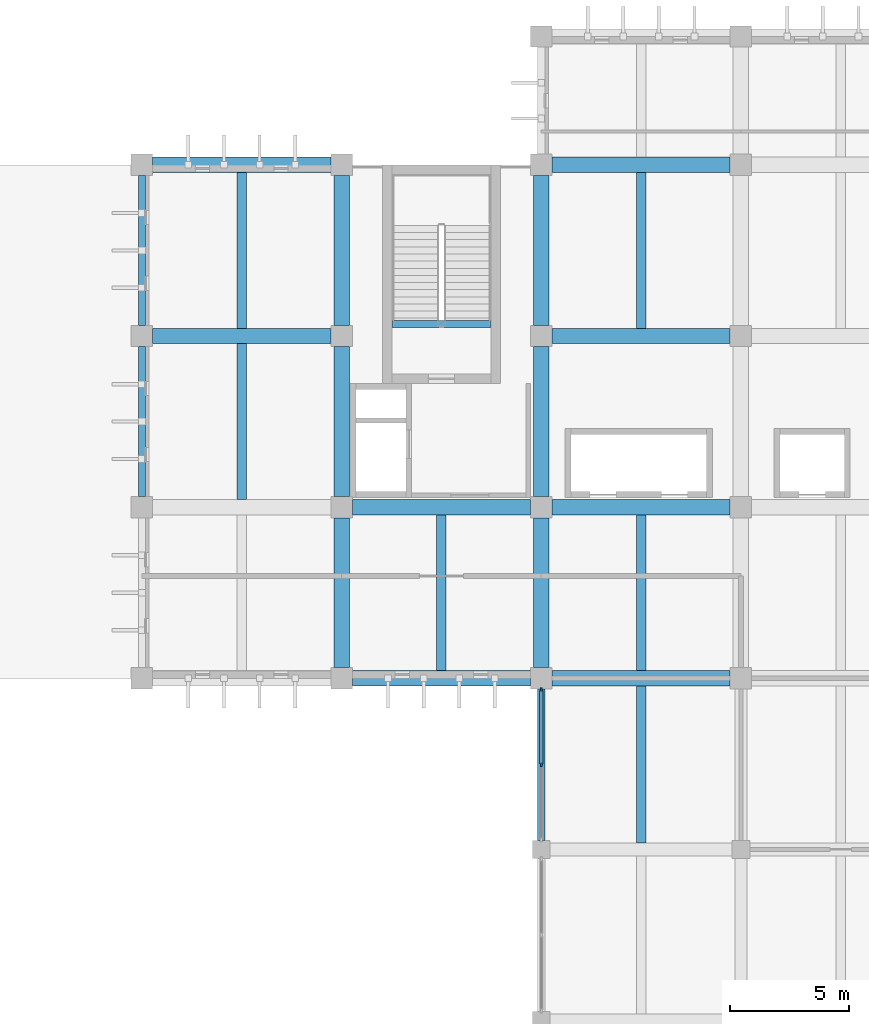
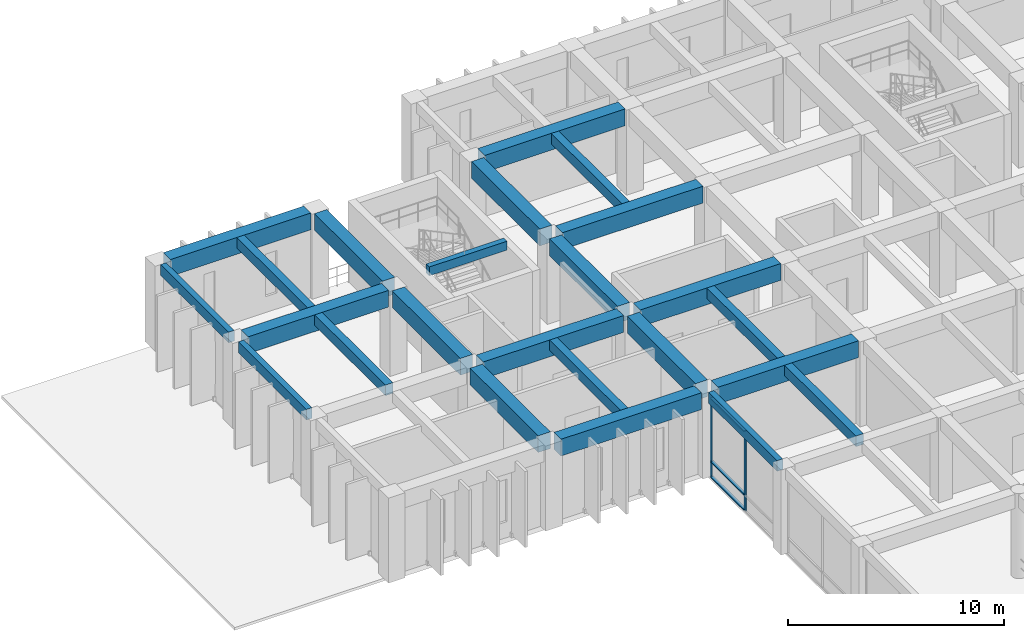
# One storey, part 21 of 52: 24 beams, 5 members, 1 element without a shape of its own.
"""IFC4 building model written with IfcOpenShell, lengths in metres."""

from ifc_helpers import new_model, si_unit, direction, frame, origin, origin_2d, place, context, subcontext, project, spatial, rectangle, extrude, material, material_profile, profile_set, type_object, element, aggregate, save


model = new_model("IFC4")

# Units and contexts
model_context = context("Model", 3, precision=1e-05, world=origin(), true_north=direction((0.0, 1.0)))
body_context = subcontext(model_context, "Body", "Model", "MODEL_VIEW")
ifc_project = project(units=[si_unit("LENGTHUNIT", "METRE"), si_unit("AREAUNIT", "SQUARE_METRE"), si_unit("VOLUMEUNIT", "CUBIC_METRE"), si_unit("PLANEANGLEUNIT", "RADIAN"), si_unit("MASSUNIT", "GRAM", prefix="KILO")], contexts=[model_context])

# Site, building, storey
site_placement = place(None, origin())
site = spatial("IfcSite", under=ifc_project, at=site_placement, CompositionType="ELEMENT")
building_placement = place(site_placement, origin())
building = spatial("IfcBuilding", under=site, at=building_placement, Name="Kenerak Square Central Library", CompositionType="ELEMENT")
storey_placement = place(building_placement, frame((0.0, 0.0, 4.800048828125)))
storey = spatial("IfcBuildingStorey", under=building, at=storey_placement, Name="L01", CompositionType="ELEMENT", Elevation=4.800048828125)

# Beams
ifc_material_1 = material(Name="Concrete C45/55", Category="concrete")
ifc_material_profile_1 = material_profile(ifc_material_1, rectangle(XDim=0.64990234375, YDim=0.949951171875, at=origin_2d()), Name="RC 650x950")
ifc_profile_set_1 = profile_set([ifc_material_profile_1], Name="Concrete C45/55")
beam_type_1 = type_object("IfcBeamType", Name="Book Stack Girder B-02 RC 650x950 C45/55", PredefinedType="BEAM", material=ifc_profile_set_1)
for number, where, z_axis, x_axis, name in (
    (1, (58.85009765625, 88.800048828125, 4.324951171875), (1.0, 0.0, 0.0), (0.0, 1.0, 0.0), "Beam B-02 L01 0944"),
    (2, (67.25, 88.800048828125, 4.324951171875), (1.0, 0.0, 0.0), (0.0, 1.0, 0.0), "Beam B-02 L01 0945"),
    (3, (58.85009765625, 96.0, 4.324951171875), (1.0, 0.0, 0.0), (0.0, 1.0, 0.0), "Beam B-02 L01 0954"),
    (4, (67.25, 96.0, 4.324951171875), (1.0, 0.0, 0.0), (0.0, 1.0, 0.0), "Beam B-02 L01 0955"),
    (5, (50.449951171875, 103.199951171875, 4.324951171875), (1.0, 0.0, 0.0), (0.0, 1.0, 0.0), "Beam B-02 L01 0963"),
    (6, (67.25, 103.199951171875, 4.324951171875), (1.0, 0.0, 0.0), (0.0, 1.0, 0.0), "Beam B-02 L01 0964"),
    (7, (50.449951171875, 110.39990234375, 4.324951171875), (1.0, 0.0, 0.0), (0.0, 1.0, 0.0), "Beam B-02 L01 0970"),
    (8, (67.25, 110.39990234375, 4.324951171875), (1.0, 0.0, 0.0), (0.0, 1.0, 0.0), "Beam B-02 L01 0971"),
):
    element("IfcBeam", number, at=place(storey_placement, frame(where, z_axis=z_axis, x_axis=x_axis)), inside=storey, type_object=beam_type_1, Name=name, PredefinedType="BEAM", context=body_context, shape_type="SweptSolid", body=[
        extrude(rectangle(XDim=0.64990234375, YDim=0.949951171875, at=origin_2d()), origin(), (0.0, 0.0, 1.0), 7.5),
    ])
for number, where, z_axis, x_axis, name in (
    (9, (58.39990234375, 89.25, 4.324951171875), (0.0, 1.0, 0.0), (-1.0, 0.0, 0.0), "Beam B-02 L01 1007"),
    (10, (58.39990234375, 96.449951171875, 4.324951171875), (0.0, 1.0, 0.0), (-1.0, 0.0, 0.0), "Beam B-02 L01 1008"),
    (11, (58.39990234375, 103.64990234375, 4.324951171875), (0.0, 1.0, 0.0), (-1.0, 0.0, 0.0), "Beam B-02 L01 1009"),
    (12, (66.800048828125, 89.25, 4.324951171875), (0.0, 1.0, 0.0), (-1.0, 0.0, 0.0), "Beam B-02 L01 1017"),
    (13, (66.800048828125, 96.449951171875, 4.324951171875), (0.0, 1.0, 0.0), (-1.0, 0.0, 0.0), "Beam B-02 L01 1018"),
    (14, (66.800048828125, 103.64990234375, 4.324951171875), (0.0, 1.0, 0.0), (-1.0, 0.0, 0.0), "Beam B-02 L01 1019"),
):
    element("IfcBeam", number, at=place(storey_placement, frame(where, z_axis=z_axis, x_axis=x_axis)), inside=storey, type_object=beam_type_1, Name=name, PredefinedType="BEAM", context=body_context, shape_type="SweptSolid", body=[
        extrude(rectangle(XDim=0.64990234375, YDim=0.949951171875, at=origin_2d()), origin(), (0.0, 0.0, 1.0), 6.300048828125),
    ])
ifc_material_2 = material(Name="Concrete C40/50", Category="concrete")
ifc_material_profile_2 = material_profile(ifc_material_2, rectangle(XDim=0.300048828125, YDim=0.60009765625, at=origin_2d()), Name="RC 300x600")
ifc_profile_set_2 = profile_set([ifc_material_profile_2], Name="Concrete C40/50")
beam_type_2 = type_object("IfcBeamType", Name="Courtyard Spandrel Beam SP-02 RC 300x600 C40/50", PredefinedType="SPANDREL", material=ifc_profile_set_2)
for number, where, z_axis, x_axis, name in (
    (15, (50.0, 96.449951171875, 4.5), (0.0, 1.0, 0.0), (-1.0, 0.0, 0.0), "Beam SP-02 L01 1003"),
    (16, (50.0, 103.64990234375, 4.5), (0.0, 1.0, 0.0), (-1.0, 0.0, 0.0), "Beam SP-02 L01 1004"),
):
    element("IfcBeam", number, at=place(storey_placement, frame(where, z_axis=z_axis, x_axis=x_axis)), inside=storey, type_object=beam_type_2, Name=name, PredefinedType="SPANDREL", context=body_context, shape_type="SweptSolid", body=[
        extrude(rectangle(XDim=0.300048828125, YDim=0.60009765625, at=origin_2d()), origin(), (0.0, 0.0, 1.0), 6.300048828125),
    ])
beam_1_placement = place(storey_placement, frame((66.800048828125, 81.97509765625, 4.5), z_axis=(0.0, 1.0, 0.0), x_axis=(-1.0, 0.0, 0.0)))
element("IfcBeam", 17, at=beam_1_placement, inside=storey, type_object=beam_type_2, Name="Beam SP-02 L01 1016", PredefinedType="SPANDREL", context=body_context, shape_type="SweptSolid", body=[
    extrude(rectangle(XDim=0.300048828125, YDim=0.60009765625, at=origin_2d()), origin(), (0.0, 0.0, 1.0), 6.375),
])

# Curtain wall, members
ifc_material_3 = material(Name="Anodised aluminium and solar-control low-E glazing", Category="aluminium")
curtain_wall_type = type_object("IfcCurtainWallType", Name="Curtain Wall CW-V4-63x45 6375x4500", PredefinedType="USERDEFINED", material=ifc_material_3)
curtain_wall_placement = place(storey_placement, origin())
curtain_wall = element("IfcCurtainWall", 18, at=curtain_wall_placement, inside=storey, type_object=curtain_wall_type, Name="Curtain Wall CW-V4-63x45 L01 0027", ObjectType="CURTAIN WALL", PredefinedType="USERDEFINED")
ifc_material_4 = material(Name="Anodised aluminium 6063-T6", Category="aluminium")
ifc_material_profile_3 = material_profile(ifc_material_4, rectangle(XDim=0.06494140625, YDim=0.179931640625, at=origin_2d()), Name="AL MULLION 65x180")
ifc_profile_set_3 = profile_set([ifc_material_profile_3], Name="Anodised aluminium 6063-T6")
member_type_1 = type_object("IfcMemberType", Name="Curtain Mullion CM-01 65x180", PredefinedType="MULLION", material=ifc_profile_set_3)
member_1_placement = place(storey_placement, frame((66.800048828125, 85.16259765625, 0.0), z_axis=(0.0, 0.0, 1.0), x_axis=(-1.0, 0.0, 0.0)))
member_1 = element("IfcMember", 19, at=member_1_placement, type_object=member_type_1, Name="CW-V4-63x45 Mullion 2", PredefinedType="MULLION", context=body_context, shape_type="SweptSolid", body=[
    extrude(rectangle(XDim=0.06494140625, YDim=0.179931640625, at=origin_2d()), origin(), (0.0, 0.0, 1.0), 4.5),
])
member_2_placement = place(storey_placement, frame((66.800048828125, 88.3173828125, 0.0), z_axis=(0.0, 0.0, 1.0), x_axis=(-1.0, 0.0, 0.0)))
member_2 = element("IfcMember", 20, at=member_2_placement, type_object=member_type_1, Name="CW-V4-63x45 Mullion 3", PredefinedType="MULLION", context=body_context, shape_type="SweptSolid", body=[
    extrude(rectangle(XDim=0.06494140625, YDim=0.179931640625, at=origin_2d()), origin(), (0.0, 0.0, 1.0), 4.5),
])
ifc_material_profile_4 = material_profile(ifc_material_4, rectangle(XDim=0.159912109375, YDim=0.06494140625, at=origin_2d()), Name="AL TRANSOM 160x65")
ifc_profile_set_4 = profile_set([ifc_material_profile_4], Name="Anodised aluminium 6063-T6")
member_type_2 = type_object("IfcMemberType", Name="Curtain Transom CT-11 160x65", PredefinedType="USERDEFINED", material=ifc_profile_set_4)
member_3_placement = place(storey_placement, frame((66.800048828125, 85.195068359375, 0.032470703125), z_axis=(0.0, 1.0, 0.0), x_axis=(-1.0, 0.0, 0.0)))
member_3 = element("IfcMember", 21, at=member_3_placement, type_object=member_type_2, Name="CW-V4-63x45 Transom 2.1", ObjectType="TRANSOM", PredefinedType="USERDEFINED", context=body_context, shape_type="SweptSolid", body=[
    extrude(rectangle(XDim=0.159912109375, YDim=0.06494140625, at=origin_2d()), origin(), (0.0, 0.0, 1.0), 3.08984375),
])
member_4_placement = place(storey_placement, frame((66.800048828125, 85.195068359375, 0.89990234375), z_axis=(0.0, 1.0, 0.0), x_axis=(-1.0, 0.0, 0.0)))
member_4 = element("IfcMember", 22, at=member_4_placement, type_object=member_type_2, Name="CW-V4-63x45 Transom 2.2", ObjectType="TRANSOM", PredefinedType="USERDEFINED", context=body_context, shape_type="SweptSolid", body=[
    extrude(rectangle(XDim=0.159912109375, YDim=0.06494140625, at=origin_2d()), origin(), (0.0, 0.0, 1.0), 3.08984375),
])
member_5_placement = place(storey_placement, frame((66.800048828125, 85.195068359375, 4.467529296875), z_axis=(0.0, 1.0, 0.0), x_axis=(-1.0, 0.0, 0.0)))
member_5 = element("IfcMember", 23, at=member_5_placement, type_object=member_type_2, Name="CW-V4-63x45 Transom 2.3", ObjectType="TRANSOM", PredefinedType="USERDEFINED", context=body_context, shape_type="SweptSolid", body=[
    extrude(rectangle(XDim=0.159912109375, YDim=0.06494140625, at=origin_2d()), origin(), (0.0, 0.0, 1.0), 3.08984375),
])
aggregate(curtain_wall, [member_1, member_2, member_3, member_4, member_5])

# Beams
ifc_material_profile_5 = material_profile(ifc_material_2, rectangle(XDim=0.300048828125, YDim=0.5, at=origin_2d()), Name="RC 300x500")
ifc_profile_set_5 = profile_set([ifc_material_profile_5], Name="Concrete C40/50")
beam_type_3 = type_object("IfcBeamType", Name="Landing Support Beam B-08 RC 300x500 C40/50", PredefinedType="BEAM", material=ifc_profile_set_5)
beam_2_placement = place(storey_placement, frame((60.52001953125, 103.7099609375, 4.550048828125), z_axis=(1.0, 0.0, 0.0), x_axis=(0.0, 1.0, 0.0)))
element("IfcBeam", 24, at=beam_2_placement, inside=storey, type_object=beam_type_3, Name="Stair Threshold Beam B-08 ST-01 L02", PredefinedType="BEAM", context=body_context, shape_type="SweptSolid", body=[
    extrude(rectangle(XDim=0.300048828125, YDim=0.5, at=origin_2d()), origin(), (0.0, 0.0, 1.0), 4.159912109375),
])
ifc_material_profile_6 = material_profile(ifc_material_2, rectangle(XDim=0.39990234375, YDim=0.60009765625, at=origin_2d()), Name="RC 400x600")
ifc_profile_set_6 = profile_set([ifc_material_profile_6], Name="Concrete C40/50")
beam_type_4 = type_object("IfcBeamType", Name="Secondary Floor Joist J-01 RC 400x600 C40/50", PredefinedType="JOIST", material=ifc_profile_set_6)
for number, where, z_axis, x_axis, name in (
    (25, (54.199951171875, 96.324951171875, 4.5), (0.0, 1.0, 0.0), (-1.0, 0.0, 0.0), "Joist J-01 L01 1107"),
    (26, (54.199951171875, 103.52490234375, 4.5), (0.0, 1.0, 0.0), (-1.0, 0.0, 0.0), "Joist J-01 L01 1108"),
    (27, (62.60009765625, 89.125, 4.5), (0.0, 1.0, 0.0), (-1.0, 0.0, 0.0), "Joist J-01 L01 1111"),
):
    element("IfcBeam", number, at=place(storey_placement, frame(where, z_axis=z_axis, x_axis=x_axis)), inside=storey, type_object=beam_type_4, Name=name, PredefinedType="JOIST", context=body_context, shape_type="SweptSolid", body=[
        extrude(rectangle(XDim=0.39990234375, YDim=0.60009765625, at=origin_2d()), origin(), (0.0, 0.0, 1.0), 6.550048828125),
    ])
beam_3_placement = place(storey_placement, frame((71.0, 81.875, 4.5), z_axis=(0.0, 1.0, 0.0), x_axis=(-1.0, 0.0, 0.0)))
element("IfcBeam", 28, at=beam_3_placement, inside=storey, type_object=beam_type_4, Name="Joist J-01 L01 1118", PredefinedType="JOIST", context=body_context, shape_type="SweptSolid", body=[
    extrude(rectangle(XDim=0.39990234375, YDim=0.60009765625, at=origin_2d()), origin(), (0.0, 0.0, 1.0), 6.60009765625),
])
for number, where, z_axis, x_axis, name in (
    (29, (71.0, 89.125, 4.5), (0.0, 1.0, 0.0), (-1.0, 0.0, 0.0), "Joist J-01 L01 1119"),
    (30, (71.0, 103.52490234375, 4.5), (0.0, 1.0, 0.0), (-1.0, 0.0, 0.0), "Joist J-01 L01 1120"),
):
    element("IfcBeam", number, at=place(storey_placement, frame(where, z_axis=z_axis, x_axis=x_axis)), inside=storey, type_object=beam_type_4, Name=name, PredefinedType="JOIST", context=body_context, shape_type="SweptSolid", body=[
        extrude(rectangle(XDim=0.39990234375, YDim=0.60009765625, at=origin_2d()), origin(), (0.0, 0.0, 1.0), 6.550048828125),
    ])

save(model, "model.ifc")
